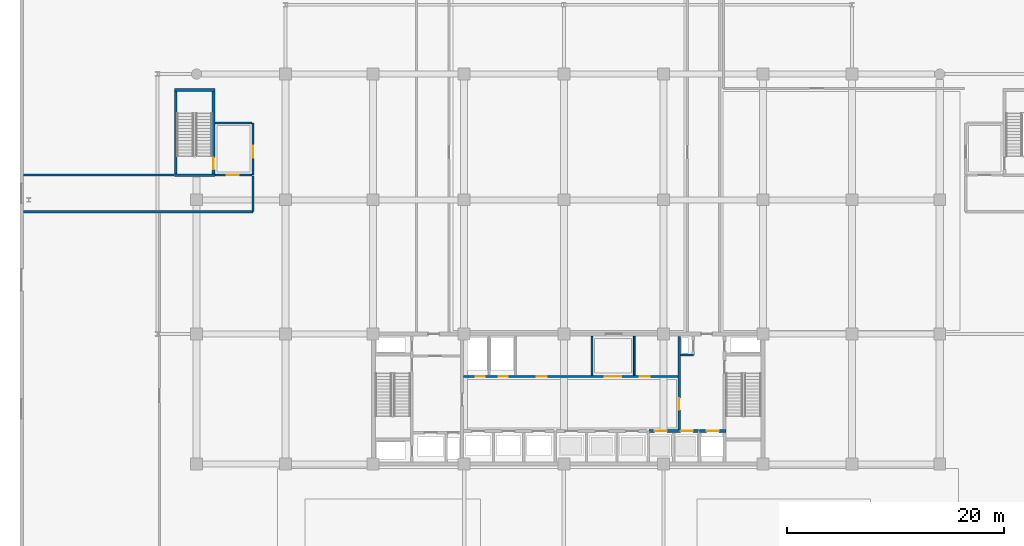
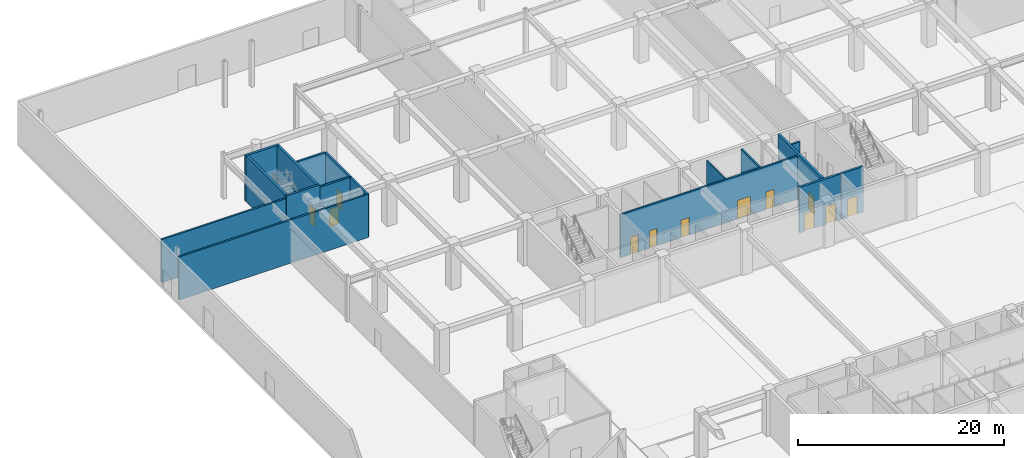
# One storey, part 26 of 46: 17 walls, 12 doors, 12 openings.
"""IFC4 building model written with IfcOpenShell, lengths in metres."""

from ifc_helpers import new_model, si_unit, direction, frame, frame_2d, origin, place, context, subcontext, project, spatial, rectangle, extrude, material, layer, layer_set, type_object, element, fill, save


model = new_model("IFC4")

# Units and contexts
model_context = context("Model", 3, precision=1e-05, world=origin(), true_north=direction((0.0, 1.0)))
body_context = subcontext(model_context, "Body", "Model", "MODEL_VIEW")
ifc_project = project(units=[si_unit("LENGTHUNIT", "METRE"), si_unit("AREAUNIT", "SQUARE_METRE"), si_unit("VOLUMEUNIT", "CUBIC_METRE"), si_unit("PLANEANGLEUNIT", "RADIAN"), si_unit("MASSUNIT", "GRAM", prefix="KILO")], contexts=[model_context])

# Site, building, storey
site_placement = place(None, origin())
site = spatial("IfcSite", under=ifc_project, at=site_placement, CompositionType="ELEMENT")
building_placement = place(site_placement, origin())
building = spatial("IfcBuilding", under=site, at=building_placement, Name="Korimba Cascade Residences", CompositionType="ELEMENT")
storey_placement = place(building_placement, origin())
storey = spatial("IfcBuildingStorey", under=building, at=storey_placement, Name="L00", CompositionType="ELEMENT", Elevation=0.0)

# Walls
ifc_material_1 = material(Name="Insulated Acoustic Stud Partition", Category="gypsum")
ifc_layer_1 = layer(ifc_material_1, 0.14990234375)
ifc_layer_set_1 = layer_set([ifc_layer_1], Name="Insulated Acoustic Stud Partition")
wall_type_1 = type_object("IfcWallType", Name="WAL-PART-150", PredefinedType="PARTITIONING", material=ifc_layer_set_1)
for number, where, z_axis, x_axis, name in (
    (1, (96.300048828125, 63.39990234375, 0.0), (0.0, 0.0, 1.0), (0.0, 1.0, 0.0), "L00 Partition Wall CW-L00-T1-THW"),
    (2, (100.199951171875, 63.39990234375, 0.0), (0.0, 0.0, 1.0), (0.0, 1.0, 0.0), "L00 Partition Wall CW-L00-T1-THE"),
):
    element("IfcWall", number, at=place(storey_placement, frame(where, z_axis=z_axis, x_axis=x_axis)), inside=storey, type_object=wall_type_1, Name=name, PredefinedType="PARTITIONING", context=body_context, shape_type="SweptSolid", body=[
        extrude(rectangle(XDim=3.60009765625, YDim=0.14990234375, at=frame_2d((1.800048828125, 0.0))), origin(), (0.0, 0.0, 1.0), 5.10009765625),
    ])

# Wall, openings, doors
ifc_material_2 = material(Name="Concrete C40/50", Category="concrete")
ifc_layer_2 = layer(ifc_material_2, 0.199951171875)
ifc_layer_set_2 = layer_set([ifc_layer_2], Name="Concrete C40/50")
wall_type_2 = type_object("IfcWallType", Name="WAL-PART-200", PredefinedType="PARTITIONING", material=ifc_layer_set_2)
wall_1_placement = place(storey_placement, frame((84.419921875, 63.300048828125, 0.0), z_axis=(0.0, 0.0, 1.0), x_axis=(1.0, 0.0, 0.0)))
wall_1 = element("IfcWall", 3, at=wall_1_placement, inside=storey, type_object=wall_type_2, Name="L00 Partition Wall CW-L00-T1-SRVROW", PredefinedType="PARTITIONING", context=body_context, shape_type="SweptSolid", body=[
    extrude(rectangle(XDim=19.830078125, YDim=0.199951171875, at=frame_2d((9.9150390625, 0.0))), origin(), (0.0, 0.0, 1.0), 5.10009765625),
])
opening_1_placement = place(wall_1_placement, frame((1.14990234375, 0.0, 0.0)))
opening_1 = element("IfcOpeningElement", 4, at=opening_1_placement, cuts=wall_1, Name="Opening D-RS1", PredefinedType="OPENING", context=body_context, shape_type="SweptSolid", body=[
    extrude(rectangle(XDim=0.85009765625, YDim=2.050048828125, at=frame_2d((0.425048828125, 1.02490234375))), frame((0.0, 0.10986328125, 0.0), z_axis=(0.0, -1.0, 0.0), x_axis=(1.0, 0.0, 0.0)), (0.0, 0.0, 1.0), 0.219970703125),
])
opening_2_placement = place(wall_1_placement, frame((3.25, 0.0, 0.0)))
opening_2 = element("IfcOpeningElement", 5, at=opening_2_placement, cuts=wall_1, Name="Opening D-RS1", PredefinedType="OPENING", context=body_context, shape_type="SweptSolid", body=[
    extrude(rectangle(XDim=0.85009765625, YDim=2.050048828125, at=frame_2d((0.425048828125, 1.02490234375))), frame((0.0, 0.10986328125, 0.0), z_axis=(0.0, -1.0, 0.0), x_axis=(1.0, 0.0, 0.0)), (0.0, 0.0, 1.0), 0.219970703125),
])
opening_3_placement = place(wall_1_placement, frame((13.080078125, 0.0, 0.0)))
opening_3 = element("IfcOpeningElement", 6, at=opening_3_placement, cuts=wall_1, Name="Opening D-FD8", PredefinedType="OPENING", context=body_context, shape_type="SweptSolid", body=[
    extrude(rectangle(XDim=1.5, YDim=2.199951171875, at=frame_2d((0.75, 1.10009765625))), frame((0.0, 0.10986328125, 0.0), z_axis=(0.0, -1.0, 0.0), x_axis=(1.0, 0.0, 0.0)), (0.0, 0.0, 1.0), 0.219970703125),
])
opening_4_placement = place(wall_1_placement, frame((6.780029296875, 0.0, 0.0)))
opening_4 = element("IfcOpeningElement", 7, at=opening_4_placement, cuts=wall_1, Name="Opening D-IN1", PredefinedType="OPENING", context=body_context, shape_type="SweptSolid", body=[
    extrude(rectangle(XDim=0.919921875, YDim=2.080078125, at=frame_2d((0.4599609375, 1.0400390625))), frame((0.0, 0.10986328125, 0.0), z_axis=(0.0, -1.0, 0.0), x_axis=(1.0, 0.0, 0.0)), (0.0, 0.0, 1.0), 0.219970703125),
])
opening_5_placement = place(wall_1_placement, frame((16.280029296875, 0.0, 0.0)))
opening_5 = element("IfcOpeningElement", 8, at=opening_5_placement, cuts=wall_1, Name="Opening D-IN1", PredefinedType="OPENING", context=body_context, shape_type="SweptSolid", body=[
    extrude(rectangle(XDim=0.919921875, YDim=2.080078125, at=frame_2d((0.4599609375, 1.0400390625))), frame((0.0, 0.10986328125, 0.0), z_axis=(0.0, -1.0, 0.0), x_axis=(1.0, 0.0, 0.0)), (0.0, 0.0, 1.0), 0.219970703125),
])
ifc_material_3 = material(Name="Fire-Rated Steel Riser Access Door", Category="steel")
door_type_1 = type_object("IfcDoorType", Name="DR-FD60-850", OperationType="NOTDEFINED", PredefinedType="DOOR", material=ifc_material_3)
door_1_placement = place(opening_1_placement, origin())
door_1 = element("IfcDoor", 9, at=door_1_placement, inside=storey, type_object=door_type_1, Name="L00 Electrical Riser Door", OperationType="SINGLE_SWING_RIGHT", OverallHeight=2.050048828125, OverallWidth=0.85009765625, PredefinedType="DOOR", context=body_context, shape_type="SweptSolid", body=[
    extrude(rectangle(XDim=0.85009765625, YDim=2.050048828125, at=frame_2d((0.425048828125, 1.02490234375))), frame((0.0, 0.02490234375, 0.0), z_axis=(0.0, -1.0, 0.0), x_axis=(1.0, 0.0, 0.0)), (0.0, 0.0, 1.0), 0.050048828125),
])
fill(opening_1, door_1)
door_2_placement = place(opening_2_placement, origin())
door_2 = element("IfcDoor", 10, at=door_2_placement, inside=storey, type_object=door_type_1, Name="L00 Plumbing Riser Door", OperationType="SINGLE_SWING_LEFT", OverallHeight=2.050048828125, OverallWidth=0.85009765625, PredefinedType="DOOR", context=body_context, shape_type="SweptSolid", body=[
    extrude(rectangle(XDim=0.85009765625, YDim=2.050048828125, at=frame_2d((0.425048828125, 1.02490234375))), frame((0.0, 0.02490234375, 0.0), z_axis=(0.0, -1.0, 0.0), x_axis=(1.0, 0.0, 0.0)), (0.0, 0.0, 1.0), 0.050048828125),
])
fill(opening_2, door_2)
ifc_material_4 = material(Name="Fire-Rated Glazed Lift Lobby Double Door", Category="glass")
door_type_2 = type_object("IfcDoorType", Name="DR-FD90-1500", OperationType="NOTDEFINED", PredefinedType="DOOR", material=ifc_material_4)
door_3_placement = place(opening_3_placement, origin())
door_3 = element("IfcDoor", 11, at=door_3_placement, inside=storey, type_object=door_type_2, Name="L00 Lift Lobby Foyer Archway Door", OperationType="DOUBLE_DOOR_SINGLE_SWING", OverallHeight=2.199951171875, OverallWidth=1.5, PredefinedType="DOOR", context=body_context, shape_type="SweptSolid", body=[
    extrude(rectangle(XDim=1.5, YDim=2.199951171875, at=frame_2d((0.75, 1.10009765625))), frame((0.0, 0.02490234375, 0.0), z_axis=(0.0, -1.0, 0.0), x_axis=(1.0, 0.0, 0.0)), (0.0, 0.0, 1.0), 0.050048828125),
])
fill(opening_3, door_3)
ifc_material_5 = material(Name="Acoustic Timber Living Door", Category="wood")
door_type_3 = type_object("IfcDoorType", Name="DR-INT-920", OperationType="NOTDEFINED", PredefinedType="DOOR", material=ifc_material_5)
door_4_placement = place(opening_4_placement, origin())
door_4 = element("IfcDoor", 12, at=door_4_placement, inside=storey, type_object=door_type_3, Name="L00 Housekeeping Door", OperationType="SINGLE_SWING_RIGHT", OverallHeight=2.080078125, OverallWidth=0.919921875, PredefinedType="DOOR", context=body_context, shape_type="SweptSolid", body=[
    extrude(rectangle(XDim=0.919921875, YDim=2.080078125, at=frame_2d((0.4599609375, 1.0400390625))), frame((0.0, 0.02490234375, 0.0), z_axis=(0.0, -1.0, 0.0), x_axis=(1.0, 0.0, 0.0)), (0.0, 0.0, 1.0), 0.050048828125),
])
fill(opening_4, door_4)
door_5_placement = place(opening_5_placement, origin())
door_5 = element("IfcDoor", 13, at=door_5_placement, inside=storey, type_object=door_type_3, Name="L00 Store Door", OperationType="SINGLE_SWING_LEFT", OverallHeight=2.080078125, OverallWidth=0.919921875, PredefinedType="DOOR", context=body_context, shape_type="SweptSolid", body=[
    extrude(rectangle(XDim=0.919921875, YDim=2.080078125, at=frame_2d((0.4599609375, 1.0400390625))), frame((0.0, 0.02490234375, 0.0), z_axis=(0.0, -1.0, 0.0), x_axis=(1.0, 0.0, 0.0)), (0.0, 0.0, 1.0), 0.050048828125),
])
fill(opening_5, door_5)

# Wall
wall_2_placement = place(storey_placement, frame((104.449951171875, 65.280029296875, 0.0), z_axis=(0.0, 0.0, 1.0), x_axis=(1.0, 0.0, 0.0)))
element("IfcWall", 14, at=wall_2_placement, inside=storey, type_object=wall_type_2, Name="L00 Partition Wall CW-L00-T1-HYDW2S", PredefinedType="PARTITIONING", context=body_context, shape_type="SweptSolid", body=[
    extrude(rectangle(XDim=1.199951171875, YDim=0.199951171875, at=frame_2d((0.60009765625, 0.0))), origin(), (0.0, 0.0, 1.0), 5.10009765625),
])

# Wall, opening, door
wall_3_placement = place(storey_placement, frame((65.0, 81.875, 0.0), z_axis=(0.0, 0.0, 1.0), x_axis=(0.0, 1.0, 0.0)))
wall_3 = element("IfcWall", 15, at=wall_3_placement, inside=storey, type_object=wall_type_2, Name="L00 Partition Wall CW-L00-PL5E", PredefinedType="PARTITIONING", context=body_context, shape_type="SweptSolid", body=[
    extrude(rectangle(XDim=4.824951171875, YDim=0.199951171875, at=frame_2d((2.41259765625, 0.0))), origin(), (0.0, 0.0, 1.0), 5.10009765625),
])
opening_6_placement = place(wall_3_placement, frame((1.60009765625, 0.0, 0.0)))
opening_6 = element("IfcOpeningElement", 16, at=opening_6_placement, cuts=wall_3, Name="Opening D-FD6", PredefinedType="OPENING", context=body_context, shape_type="SweptSolid", body=[
    extrude(rectangle(XDim=1.10009765625, YDim=2.14990234375, at=frame_2d((0.550048828125, 1.074951171875))), frame((0.0, 0.10986328125, 0.0), z_axis=(0.0, -1.0, 0.0), x_axis=(1.0, 0.0, 0.0)), (0.0, 0.0, 1.0), 0.219970703125),
])
ifc_material_6 = material(Name="Fire-Rated Timber Stair Lobby Door", Category="wood")
door_type_4 = type_object("IfcDoorType", Name="DR-FD90-1100", OperationType="NOTDEFINED", PredefinedType="DOOR", material=ifc_material_6)
door_6_placement = place(opening_6_placement, origin())
door_6 = element("IfcDoor", 17, at=door_6_placement, inside=storey, type_object=door_type_4, Name="L00 North-West Stair Vestibule Door", OperationType="SINGLE_SWING_RIGHT", OverallHeight=2.14990234375, OverallWidth=1.10009765625, PredefinedType="DOOR", context=body_context, shape_type="SweptSolid", body=[
    extrude(rectangle(XDim=1.10009765625, YDim=2.14990234375, at=frame_2d((0.550048828125, 1.074951171875))), frame((0.0, 0.02490234375, 0.0), z_axis=(0.0, -1.0, 0.0), x_axis=(1.0, 0.0, 0.0)), (0.0, 0.0, 1.0), 0.050048828125),
])
fill(opening_6, door_6)

wall_4_placement = place(storey_placement, frame((61.5, 81.875, 0.0), z_axis=(0.0, 0.0, 1.0), x_axis=(1.0, 0.0, 0.0)))
wall_4 = element("IfcWall", 18, at=wall_4_placement, inside=storey, type_object=wall_type_2, Name="L00 Partition Wall CW-L00-PL5S", PredefinedType="PARTITIONING", context=body_context, shape_type="SweptSolid", body=[
    extrude(rectangle(XDim=3.39990234375, YDim=0.199951171875, at=frame_2d((1.699951171875, 0.0))), origin(), (0.0, 0.0, 1.0), 5.10009765625),
])
opening_7_placement = place(wall_4_placement, frame((1.10009765625, 0.0, 0.0)))
opening_7 = element("IfcOpeningElement", 19, at=opening_7_placement, cuts=wall_4, Name="Opening D-FD1", PredefinedType="OPENING", context=body_context, shape_type="SweptSolid", body=[
    extrude(rectangle(XDim=1.10009765625, YDim=2.10009765625, at=frame_2d((0.550048828125, 1.050048828125))), frame((0.0, 0.10986328125, 0.0), z_axis=(0.0, -1.0, 0.0), x_axis=(1.0, 0.0, 0.0)), (0.0, 0.0, 1.0), 0.219970703125),
])
ifc_material_7 = material(Name="Fire-Rated Steel Core Door", Category="steel")
door_type_5 = type_object("IfcDoorType", Name="DR-FD120-1100", OperationType="NOTDEFINED", PredefinedType="DOOR", material=ifc_material_7)
door_7_placement = place(opening_7_placement, origin())
door_7 = element("IfcDoor", 20, at=door_7_placement, inside=storey, type_object=door_type_5, Name="L00 NW Vestibule to Exit Passage Door", OperationType="SINGLE_SWING_LEFT", OverallHeight=2.10009765625, OverallWidth=1.10009765625, PredefinedType="DOOR", context=body_context, shape_type="SweptSolid", body=[
    extrude(rectangle(XDim=1.10009765625, YDim=2.10009765625, at=frame_2d((0.550048828125, 1.050048828125))), frame((0.0, 0.02490234375, 0.0), z_axis=(0.0, -1.0, 0.0), x_axis=(1.0, 0.0, 0.0)), (0.0, 0.0, 1.0), 0.050048828125),
])
fill(opening_7, door_7)

# Walls
wall_5_placement = place(storey_placement, frame((61.5, 86.699951171875, 0.0), z_axis=(0.0, 0.0, 1.0), x_axis=(1.0, 0.0, 0.0)))
element("IfcWall", 21, at=wall_5_placement, inside=storey, type_object=wall_type_2, Name="L00 Partition Wall CW-L00-PL5N", PredefinedType="PARTITIONING", context=body_context, shape_type="SweptSolid", body=[
    extrude(rectangle(XDim=3.39990234375, YDim=0.199951171875, at=frame_2d((1.699951171875, 0.0))), origin(), (0.0, 0.0, 1.0), 5.10009765625),
])
wall_6_placement = place(storey_placement, frame((43.800048828125, 78.5, 0.0), z_axis=(0.0, 0.0, 1.0), x_axis=(1.0, 0.0, 0.0)))
element("IfcWall", 22, at=wall_6_placement, inside=storey, type_object=wall_type_2, Name="L00 Partition Wall WAL-L00-XPP5S", PredefinedType="PARTITIONING", context=body_context, shape_type="SweptSolid", body=[
    extrude(rectangle(XDim=21.199951171875, YDim=0.199951171875, at=frame_2d((10.60009765625, 0.0))), origin(), (0.0, 0.0, 1.0), 5.10009765625),
])
wall_7_placement = place(storey_placement, frame((43.800048828125, 81.875, 0.0), z_axis=(0.0, 0.0, 1.0), x_axis=(1.0, 0.0, 0.0)))
element("IfcWall", 23, at=wall_7_placement, inside=storey, type_object=wall_type_2, Name="L00 Partition Wall WAL-L00-XPP5N", PredefinedType="PARTITIONING", context=body_context, shape_type="SweptSolid", body=[
    extrude(rectangle(XDim=13.89990234375, YDim=0.199951171875, at=frame_2d((6.949951171875, 0.0))), origin(), (0.0, 0.0, 1.0), 5.10009765625),
])
wall_8_placement = place(storey_placement, frame((65.0, 78.5, 0.0), z_axis=(0.0, 0.0, 1.0), x_axis=(0.0, 1.0, 0.0)))
element("IfcWall", 24, at=wall_8_placement, inside=storey, type_object=wall_type_2, Name="L00 Partition Wall WAL-L00-XPP5E", PredefinedType="PARTITIONING", context=body_context, shape_type="SweptSolid", body=[
    extrude(rectangle(XDim=3.300048828125, YDim=0.199951171875, at=frame_2d((1.64990234375, 0.0))), origin(), (0.0, 0.0, 1.0), 5.10009765625),
])

# Wall, openings, doors
ifc_material_8 = material(Name="Concrete C50/60", Category="concrete")
ifc_layer_3 = layer(ifc_material_8, 0.25)
ifc_layer_set_3 = layer_set([ifc_layer_3], Name="Concrete C50/60")
wall_type_3 = type_object("IfcWallType", Name="WAL-SHAFT-250", PredefinedType="SHEAR", material=ifc_layer_set_3)
wall_9_placement = place(storey_placement, frame((101.550048828125, 58.25, 0.0), z_axis=(0.0, 0.0, 1.0), x_axis=(1.0, 0.0, 0.0)))
wall_9 = element("IfcWall", 25, at=wall_9_placement, inside=storey, type_object=wall_type_3, Name="L00 Core Shear Wall CW-L00-T1-B3N", PredefinedType="SHEAR", context=body_context, shape_type="SweptSolid", body=[
    extrude(rectangle(XDim=4.599853515625, YDim=0.25, at=frame_2d((2.2998046875, 0.0))), origin(), (0.0, 0.0, 1.0), 5.39990234375),
])
opening_8_placement = place(wall_9_placement, frame((0.5400390625, 0.0, 0.0)))
opening_8 = element("IfcOpeningElement", 26, at=opening_8_placement, cuts=wall_9, Name="Opening LD-01", PredefinedType="OPENING", context=body_context, shape_type="SweptSolid", body=[
    extrude(rectangle(XDim=1.1201171875, YDim=2.1201171875, at=frame_2d((0.56005859375, 1.06005859375))), frame((0.0, 0.135009765625, 0.0), z_axis=(0.0, -1.0, 0.0), x_axis=(1.0, 0.0, 0.0)), (0.0, 0.0, 1.0), 0.27001953125),
])
opening_9_placement = place(wall_9_placement, frame((2.93994140625, 0.0, 0.0)))
opening_9 = element("IfcOpeningElement", 27, at=opening_9_placement, cuts=wall_9, Name="Opening LD-01", PredefinedType="OPENING", context=body_context, shape_type="SweptSolid", body=[
    extrude(rectangle(XDim=1.1201171875, YDim=2.1201171875, at=frame_2d((0.56005859375, 1.06005859375))), frame((0.0, 0.135009765625, 0.0), z_axis=(0.0, -1.0, 0.0), x_axis=(1.0, 0.0, 0.0)), (0.0, 0.0, 1.0), 0.27001953125),
])
ifc_material_9 = material(Name="Stainless Steel Lift Landing Sliding Door", Category="steel")
door_type_6 = type_object("IfcDoorType", Name="DR-LIFT-1100", OperationType="NOTDEFINED", PredefinedType="DOOR", material=ifc_material_9)
door_8_placement = place(opening_8_placement, origin())
door_8 = element("IfcDoor", 28, at=door_8_placement, inside=storey, type_object=door_type_6, Name="L00 Lift Landing Door PL-W7", OperationType="SLIDING_TO_LEFT", OverallHeight=2.1201171875, OverallWidth=1.1201171875, PredefinedType="DOOR", context=body_context, shape_type="SweptSolid", body=[
    extrude(rectangle(XDim=1.1201171875, YDim=2.1201171875, at=frame_2d((0.56005859375, 1.06005859375))), frame((0.0, 0.02490234375, 0.0), z_axis=(0.0, -1.0, 0.0), x_axis=(1.0, 0.0, 0.0)), (0.0, 0.0, 1.0), 0.050048828125),
])
fill(opening_8, door_8)
door_9_placement = place(opening_9_placement, origin())
door_9 = element("IfcDoor", 29, at=door_9_placement, inside=storey, type_object=door_type_6, Name="L00 Lift Landing Door PL-W8", OperationType="SLIDING_TO_LEFT", OverallHeight=2.1201171875, OverallWidth=1.1201171875, PredefinedType="DOOR", context=body_context, shape_type="SweptSolid", body=[
    extrude(rectangle(XDim=1.1201171875, YDim=2.1201171875, at=frame_2d((0.56005859375, 1.06005859375))), frame((0.0, 0.02490234375, 0.0), z_axis=(0.0, -1.0, 0.0), x_axis=(1.0, 0.0, 0.0)), (0.0, 0.0, 1.0), 0.050048828125),
])
fill(opening_9, door_9)

# Wall, opening, door
wall_10_placement = place(storey_placement, frame((106.219970703125, 58.25, 0.0), z_axis=(0.0, 0.0, 1.0), x_axis=(1.0, 0.0, 0.0)))
wall_10 = element("IfcWall", 30, at=wall_10_placement, inside=storey, type_object=wall_type_3, Name="L00 Core Shear Wall CW-L00-T1-FF2N", PredefinedType="SHEAR", context=body_context, shape_type="SweptSolid", body=[
    extrude(rectangle(XDim=2.4599609375, YDim=0.25, at=frame_2d((1.22998046875, 0.0))), origin(), (0.0, 0.0, 1.0), 5.39990234375),
])
opening_10_placement = place(wall_10_placement, frame((0.669921875, 0.0, 0.0)))
opening_10 = element("IfcOpeningElement", 31, at=opening_10_placement, cuts=wall_10, Name="Opening LD-01", PredefinedType="OPENING", context=body_context, shape_type="SweptSolid", body=[
    extrude(rectangle(XDim=1.1201171875, YDim=2.1201171875, at=frame_2d((0.56005859375, 1.06005859375))), frame((0.0, 0.135009765625, 0.0), z_axis=(0.0, -1.0, 0.0), x_axis=(1.0, 0.0, 0.0)), (0.0, 0.0, 1.0), 0.27001953125),
])
door_10_placement = place(opening_10_placement, origin())
door_10 = element("IfcDoor", 32, at=door_10_placement, inside=storey, type_object=door_type_6, Name="L00 Firefighting Lift Landing Door FFL-W2", OperationType="SLIDING_TO_RIGHT", OverallHeight=2.1201171875, OverallWidth=1.1201171875, PredefinedType="DOOR", context=body_context, shape_type="SweptSolid", body=[
    extrude(rectangle(XDim=1.1201171875, YDim=2.1201171875, at=frame_2d((0.56005859375, 1.06005859375))), frame((0.0, 0.02490234375, 0.0), z_axis=(0.0, -1.0, 0.0), x_axis=(1.0, 0.0, 0.0)), (0.0, 0.0, 1.0), 0.050048828125),
])
fill(opening_10, door_10)

wall_11_placement = place(storey_placement, frame((104.35009765625, 58.39990234375, 0.0), z_axis=(0.0, 0.0, 1.0), x_axis=(0.0, 1.0, 0.0)))
wall_11 = element("IfcWall", 33, at=wall_11_placement, inside=storey, type_object=wall_type_3, Name="L00 Core Shear Wall CW-L00-T1-LLEV", PredefinedType="SHEAR", context=body_context, shape_type="SweptSolid", body=[
    extrude(rectangle(XDim=8.60009765625, YDim=0.25, at=frame_2d((4.300048828125, 0.0))), origin(), (0.0, 0.0, 1.0), 5.39990234375),
])
opening_11_placement = place(wall_11_placement, frame((1.800048828125, 0.0, 0.0)))
opening_11 = element("IfcOpeningElement", 34, at=opening_11_placement, cuts=wall_11, Name="Opening D-FD1", PredefinedType="OPENING", context=body_context, shape_type="SweptSolid", body=[
    extrude(rectangle(XDim=1.10009765625, YDim=2.10009765625, at=frame_2d((0.550048828125, 1.050048828125))), frame((0.0, 0.135009765625, 0.0), z_axis=(0.0, -1.0, 0.0), x_axis=(1.0, 0.0, 0.0)), (0.0, 0.0, 1.0), 0.27001953125),
])
door_11_placement = place(opening_11_placement, origin())
door_11 = element("IfcDoor", 35, at=door_11_placement, inside=storey, type_object=door_type_5, Name="L00 Lift Lobby to East Firefighting Lobby Door", OperationType="SINGLE_SWING_LEFT", OverallHeight=2.10009765625, OverallWidth=1.10009765625, PredefinedType="DOOR", context=body_context, shape_type="SweptSolid", body=[
    extrude(rectangle(XDim=1.10009765625, YDim=2.10009765625, at=frame_2d((0.550048828125, 1.050048828125))), frame((0.0, 0.02490234375, 0.0), z_axis=(0.0, -1.0, 0.0), x_axis=(1.0, 0.0, 0.0)), (0.0, 0.0, 1.0), 0.050048828125),
])
fill(opening_11, door_11)

# Walls
wall_12_placement = place(storey_placement, frame((57.875, 82.0, 0.0), z_axis=(0.0, 0.0, 1.0), x_axis=(0.0, 1.0, 0.0)))
element("IfcWall", 36, at=wall_12_placement, inside=storey, type_object=wall_type_3, Name="L00 Core Shear Wall CW-L00-STP5W", PredefinedType="SHEAR", context=body_context, shape_type="SweptSolid", body=[
    extrude(rectangle(XDim=7.60009765625, YDim=0.25, at=frame_2d((3.800048828125, 0.0))), origin(), (0.0, 0.0, 1.0), 5.39990234375),
])
for number, where, z_axis, x_axis, name in (
    (37, (57.75, 81.875, 0.0), (0.0, 0.0, 1.0), (1.0, 0.0, 0.0), "L00 Core Shear Wall CW-L00-STP5S"),
    (38, (57.75, 89.72509765625, 0.0), (0.0, 0.0, 1.0), (1.0, 0.0, 0.0), "L00 Core Shear Wall CW-L00-STP5N"),
):
    element("IfcWall", number, at=place(storey_placement, frame(where, z_axis=z_axis, x_axis=x_axis)), inside=storey, type_object=wall_type_3, Name=name, PredefinedType="SHEAR", context=body_context, shape_type="SweptSolid", body=[
        extrude(rectangle(XDim=3.739990234375, YDim=0.25, at=frame_2d((1.8701171875, 0.0))), origin(), (0.0, 0.0, 1.0), 5.39990234375),
    ])

# Wall, opening, door
wall_13_placement = place(storey_placement, frame((61.364990234375, 82.0, 0.0), z_axis=(0.0, 0.0, 1.0), x_axis=(0.0, 1.0, 0.0)))
wall_13 = element("IfcWall", 39, at=wall_13_placement, inside=storey, type_object=wall_type_3, Name="L00 Core Shear Wall CW-L00-STP5E", PredefinedType="SHEAR", context=body_context, shape_type="SweptSolid", body=[
    extrude(rectangle(XDim=7.60009765625, YDim=0.25, at=frame_2d((3.800048828125, 0.0))), origin(), (0.0, 0.0, 1.0), 5.39990234375),
])
opening_12_placement = place(wall_13_placement, frame((0.39990234375, 0.0, 0.0)))
opening_12 = element("IfcOpeningElement", 40, at=opening_12_placement, cuts=wall_13, Name="Opening D-FD1", PredefinedType="OPENING", context=body_context, shape_type="SweptSolid", body=[
    extrude(rectangle(XDim=1.10009765625, YDim=2.10009765625, at=frame_2d((0.550048828125, 1.050048828125))), frame((0.0, 0.135009765625, 0.0), z_axis=(0.0, -1.0, 0.0), x_axis=(1.0, 0.0, 0.0)), (0.0, 0.0, 1.0), 0.27001953125),
])
door_12_placement = place(opening_12_placement, origin())
door_12 = element("IfcDoor", 41, at=door_12_placement, inside=storey, type_object=door_type_5, Name="L00 Podium Stair ST-P5 Door", OperationType="SINGLE_SWING_LEFT", OverallHeight=2.10009765625, OverallWidth=1.10009765625, PredefinedType="DOOR", context=body_context, shape_type="SweptSolid", body=[
    extrude(rectangle(XDim=1.10009765625, YDim=2.10009765625, at=frame_2d((0.550048828125, 1.050048828125))), frame((0.0, 0.02490234375, 0.0), z_axis=(0.0, -1.0, 0.0), x_axis=(1.0, 0.0, 0.0)), (0.0, 0.0, 1.0), 0.050048828125),
])
fill(opening_12, door_12)

save(model, "model.ifc")
